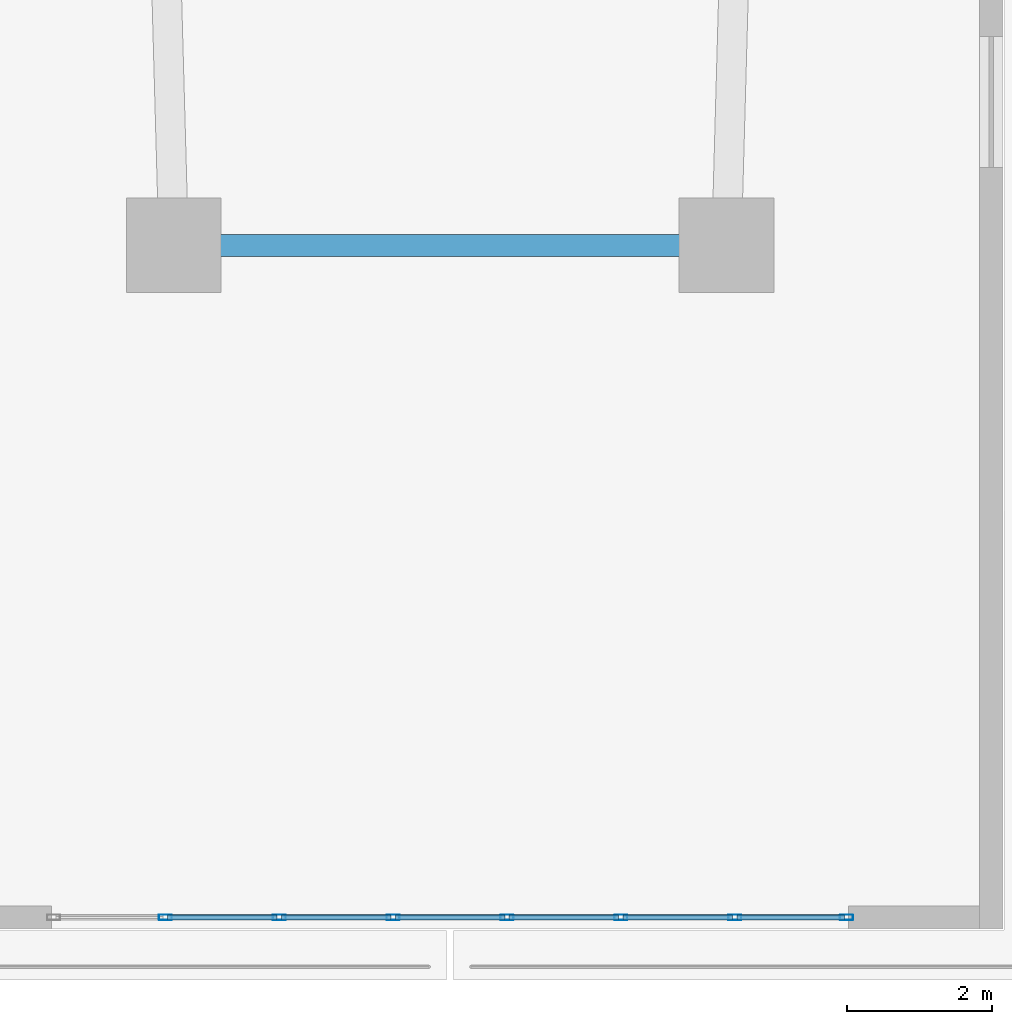
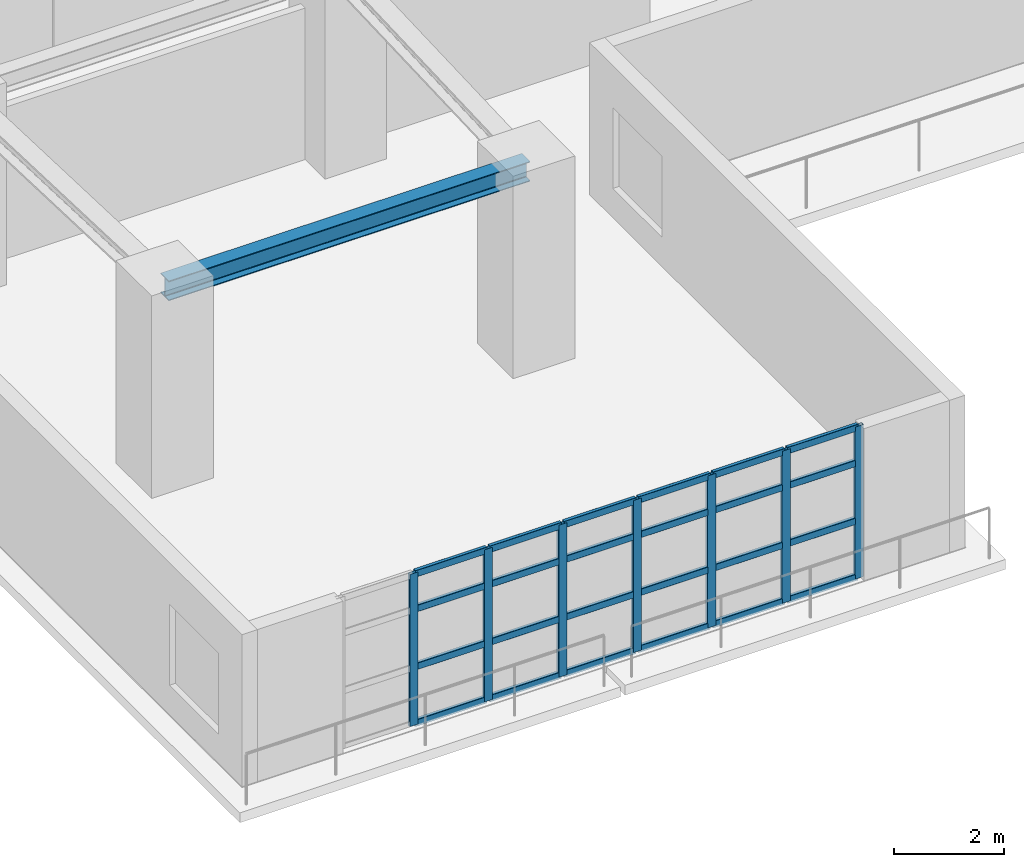
# One storey, part 5 of 24: 31 members, 1 beam, 1 element without a shape of its own.
"""IFC4 building model written with IfcOpenShell, lengths in metres."""

from ifc_helpers import new_model, si_unit, direction, frame, origin, origin_2d, place, context, subcontext, project, spatial, hollow_rectangle, i_section, extrude, material, layer, layer_set, material_profile, profile_set, type_object, element, aggregate, save


model = new_model("IFC4")

# Units and contexts
model_context = context("Model", 3, precision=1e-05, world=origin(), true_north=direction((0.0, 1.0)))
body_context = subcontext(model_context, "Body", "Model", "MODEL_VIEW")
ifc_project = project(units=[si_unit("LENGTHUNIT", "METRE"), si_unit("AREAUNIT", "SQUARE_METRE"), si_unit("VOLUMEUNIT", "CUBIC_METRE"), si_unit("PLANEANGLEUNIT", "RADIAN"), si_unit("MASSUNIT", "GRAM", prefix="KILO")], contexts=[model_context])

# Site, building, storey
site_placement = place(None, origin())
site = spatial("IfcSite", under=ifc_project, at=site_placement, CompositionType="ELEMENT")
building_placement = place(site_placement, origin())
building = spatial("IfcBuilding", under=site, at=building_placement, Name="Qingluan Cross Belvedere", CompositionType="ELEMENT")
storey_placement = place(building_placement, frame((0.0, 0.0, 19.199951171875)))
storey = spatial("IfcBuildingStorey", under=building, at=storey_placement, Name="L05", CompositionType="ELEMENT", Elevation=19.199951171875)

# Curtain wall, members
ifc_material_1 = material(Name="Thermally broken aluminium and Low-E glass", Category="aluminium")
ifc_layer = layer(ifc_material_1, 0.179931640625, Name="UnitisedCW_CascadeGarden")
ifc_layer_set = layer_set([ifc_layer], Name="Thermally broken aluminium and Low-E glass")
curtain_wall_type = type_object("IfcCurtainWallType", Name="UnitisedCW_CascadeGarden", PredefinedType="USERDEFINED", material=ifc_layer_set)
curtain_wall_placement = place(storey_placement, origin())
curtain_wall = element("IfcCurtainWall", 1, at=curtain_wall_placement, inside=storey, type_object=curtain_wall_type, Name="UnitisedCW_CascadeGarden run env:cw:L05:S", ObjectType="UNITISED CURTAIN WALL", PredefinedType="USERDEFINED")
ifc_material_2 = material(Name="Aluminium alloy 6063-T6", Category="aluminium")
ifc_material_profile_1 = material_profile(ifc_material_2, hollow_rectangle(XDim=0.074951171875, YDim=0.179931640625, WallThickness=0.00390625, InnerFilletRadius=0.00390625, OuterFilletRadius=0.008056640625, at=origin_2d()), Name="CWM180x75x4")
ifc_profile_set_1 = profile_set([ifc_material_profile_1], Name="Aluminium alloy 6063-T6")
member_type_1 = type_object("IfcMemberType", Name="CWMullion_180", PredefinedType="MULLION", material=ifc_profile_set_1)
member_1_placement = place(storey_placement, frame((5.449951171875, -36.239990234375, 0.0), z_axis=(0.0, 0.0, 1.0), x_axis=(0.0, -1.0, 0.0)))
member_1 = element("IfcMember", 2, at=member_1_placement, type_object=member_type_1, Name="CW-P3 mullion 1", PredefinedType="MULLION", context=body_context, shape_type="SweptSolid", body=[
    extrude(hollow_rectangle(XDim=0.074951171875, YDim=0.179931640625, WallThickness=0.00390625, InnerFilletRadius=0.00390625, OuterFilletRadius=0.008056640625, at=origin_2d()), origin(), (0.0, 0.0, 1.0), 3.380126953125),
])
member_2_placement = place(storey_placement, frame((3.914306640625, -36.239990234375, 0.0), z_axis=(0.0, 0.0, 1.0), x_axis=(0.0, -1.0, 0.0)))
member_2 = element("IfcMember", 3, at=member_2_placement, type_object=member_type_1, Name="CW-P3 mullion 2", PredefinedType="MULLION", context=body_context, shape_type="SweptSolid", body=[
    extrude(hollow_rectangle(XDim=0.074951171875, YDim=0.179931640625, WallThickness=0.00390625, InnerFilletRadius=0.00390625, OuterFilletRadius=0.008056640625, at=origin_2d()), origin(), (0.0, 0.0, 1.0), 3.380126953125),
])
member_3_placement = place(storey_placement, frame((2.3486328125, -36.239990234375, 0.0), z_axis=(0.0, 0.0, 1.0), x_axis=(0.0, -1.0, 0.0)))
member_3 = element("IfcMember", 4, at=member_3_placement, type_object=member_type_1, Name="CW-P3 mullion 3", PredefinedType="MULLION", context=body_context, shape_type="SweptSolid", body=[
    extrude(hollow_rectangle(XDim=0.074951171875, YDim=0.179931640625, WallThickness=0.00390625, InnerFilletRadius=0.00390625, OuterFilletRadius=0.008056640625, at=origin_2d()), origin(), (0.0, 0.0, 1.0), 3.380126953125),
])
member_4_placement = place(storey_placement, frame((0.782958984375, -36.239990234375, 0.0), z_axis=(0.0, 0.0, 1.0), x_axis=(0.0, -1.0, 0.0)))
member_4 = element("IfcMember", 5, at=member_4_placement, type_object=member_type_1, Name="CW-P3 mullion 4", PredefinedType="MULLION", context=body_context, shape_type="SweptSolid", body=[
    extrude(hollow_rectangle(XDim=0.074951171875, YDim=0.179931640625, WallThickness=0.00390625, InnerFilletRadius=0.00390625, OuterFilletRadius=0.008056640625, at=origin_2d()), origin(), (0.0, 0.0, 1.0), 3.380126953125),
])
member_5_placement = place(storey_placement, frame((-0.782958984375, -36.239990234375, 0.0), z_axis=(0.0, 0.0, 1.0), x_axis=(0.0, -1.0, 0.0)))
member_5 = element("IfcMember", 6, at=member_5_placement, type_object=member_type_1, Name="CW-P3 mullion 5", PredefinedType="MULLION", context=body_context, shape_type="SweptSolid", body=[
    extrude(hollow_rectangle(XDim=0.074951171875, YDim=0.179931640625, WallThickness=0.00390625, InnerFilletRadius=0.00390625, OuterFilletRadius=0.008056640625, at=origin_2d()), origin(), (0.0, 0.0, 1.0), 3.380126953125),
])
member_6_placement = place(storey_placement, frame((-2.3486328125, -36.239990234375, 0.0), z_axis=(0.0, 0.0, 1.0), x_axis=(0.0, -1.0, 0.0)))
member_6 = element("IfcMember", 7, at=member_6_placement, type_object=member_type_1, Name="CW-P3 mullion 6", PredefinedType="MULLION", context=body_context, shape_type="SweptSolid", body=[
    extrude(hollow_rectangle(XDim=0.074951171875, YDim=0.179931640625, WallThickness=0.00390625, InnerFilletRadius=0.00390625, OuterFilletRadius=0.008056640625, at=origin_2d()), origin(), (0.0, 0.0, 1.0), 3.380126953125),
])
member_7_placement = place(storey_placement, frame((-3.914306640625, -36.239990234375, 0.0), z_axis=(0.0, 0.0, 1.0), x_axis=(0.0, -1.0, 0.0)))
member_7 = element("IfcMember", 8, at=member_7_placement, type_object=member_type_1, Name="CW-P3 mullion 7", PredefinedType="MULLION", context=body_context, shape_type="SweptSolid", body=[
    extrude(hollow_rectangle(XDim=0.074951171875, YDim=0.179931640625, WallThickness=0.00390625, InnerFilletRadius=0.00390625, OuterFilletRadius=0.008056640625, at=origin_2d()), origin(), (0.0, 0.0, 1.0), 3.380126953125),
])
ifc_material_3 = material(Name="Aluminium alloy 6063-T6", Category="aluminium")
ifc_material_profile_2 = material_profile(ifc_material_3, hollow_rectangle(XDim=0.074951171875, YDim=0.14990234375, WallThickness=0.00390625, InnerFilletRadius=0.00390625, OuterFilletRadius=0.008056640625, at=origin_2d()), Name="CWT150x75x4")
ifc_profile_set_2 = profile_set([ifc_material_profile_2], Name="Aluminium alloy 6063-T6")
member_type_2 = type_object("IfcMemberType", Name="CWTransom_150", PredefinedType="USERDEFINED", material=ifc_profile_set_2)
member_8_placement = place(storey_placement, frame((5.419921875, -36.239990234375, 0.030029296875), z_axis=(-1.0, 0.0, 0.0), x_axis=(0.0, -1.0, 0.0)))
member_8 = element("IfcMember", 9, at=member_8_placement, type_object=member_type_2, Name="CW-P3 transom 1.1", ObjectType="TRANSOM", PredefinedType="USERDEFINED", context=body_context, shape_type="SweptSolid", body=[
    extrude(hollow_rectangle(XDim=0.074951171875, YDim=0.14990234375, WallThickness=0.00390625, InnerFilletRadius=0.00390625, OuterFilletRadius=0.008056640625, at=origin_2d()), origin(), (0.0, 0.0, 1.0), 1.4755859375),
])
member_9_placement = place(storey_placement, frame((5.419921875, -36.239990234375, 1.283935546875), z_axis=(-1.0, 0.0, 0.0), x_axis=(0.0, -1.0, 0.0)))
member_9 = element("IfcMember", 10, at=member_9_placement, type_object=member_type_2, Name="CW-P3 transom 1.2", ObjectType="TRANSOM", PredefinedType="USERDEFINED", context=body_context, shape_type="SweptSolid", body=[
    extrude(hollow_rectangle(XDim=0.074951171875, YDim=0.14990234375, WallThickness=0.00390625, InnerFilletRadius=0.00390625, OuterFilletRadius=0.008056640625, at=origin_2d()), origin(), (0.0, 0.0, 1.0), 1.4755859375),
])
member_10_placement = place(storey_placement, frame((5.419921875, -36.239990234375, 2.569091796875), z_axis=(-1.0, 0.0, 0.0), x_axis=(0.0, -1.0, 0.0)))
member_10 = element("IfcMember", 11, at=member_10_placement, type_object=member_type_2, Name="CW-P3 transom 1.3", ObjectType="TRANSOM", PredefinedType="USERDEFINED", context=body_context, shape_type="SweptSolid", body=[
    extrude(hollow_rectangle(XDim=0.074951171875, YDim=0.14990234375, WallThickness=0.00390625, InnerFilletRadius=0.00390625, OuterFilletRadius=0.008056640625, at=origin_2d()), origin(), (0.0, 0.0, 1.0), 1.4755859375),
])
member_11_placement = place(storey_placement, frame((5.419921875, -36.239990234375, 3.35009765625), z_axis=(-1.0, 0.0, 0.0), x_axis=(0.0, -1.0, 0.0)))
member_11 = element("IfcMember", 12, at=member_11_placement, type_object=member_type_2, Name="CW-P3 transom 1.4", ObjectType="TRANSOM", PredefinedType="USERDEFINED", context=body_context, shape_type="SweptSolid", body=[
    extrude(hollow_rectangle(XDim=0.074951171875, YDim=0.14990234375, WallThickness=0.00390625, InnerFilletRadius=0.00390625, OuterFilletRadius=0.008056640625, at=origin_2d()), origin(), (0.0, 0.0, 1.0), 1.4755859375),
])
member_12_placement = place(storey_placement, frame((3.88427734375, -36.239990234375, 0.030029296875), z_axis=(-1.0, 0.0, 0.0), x_axis=(0.0, -1.0, 0.0)))
member_12 = element("IfcMember", 13, at=member_12_placement, type_object=member_type_2, Name="CW-P3 transom 2.1", ObjectType="TRANSOM", PredefinedType="USERDEFINED", context=body_context, shape_type="SweptSolid", body=[
    extrude(hollow_rectangle(XDim=0.074951171875, YDim=0.14990234375, WallThickness=0.00390625, InnerFilletRadius=0.00390625, OuterFilletRadius=0.008056640625, at=origin_2d()), origin(), (0.0, 0.0, 1.0), 1.505615234375),
])
member_13_placement = place(storey_placement, frame((3.88427734375, -36.239990234375, 1.283935546875), z_axis=(-1.0, 0.0, 0.0), x_axis=(0.0, -1.0, 0.0)))
member_13 = element("IfcMember", 14, at=member_13_placement, type_object=member_type_2, Name="CW-P3 transom 2.2", ObjectType="TRANSOM", PredefinedType="USERDEFINED", context=body_context, shape_type="SweptSolid", body=[
    extrude(hollow_rectangle(XDim=0.074951171875, YDim=0.14990234375, WallThickness=0.00390625, InnerFilletRadius=0.00390625, OuterFilletRadius=0.008056640625, at=origin_2d()), origin(), (0.0, 0.0, 1.0), 1.505615234375),
])
member_14_placement = place(storey_placement, frame((3.88427734375, -36.239990234375, 2.569091796875), z_axis=(-1.0, 0.0, 0.0), x_axis=(0.0, -1.0, 0.0)))
member_14 = element("IfcMember", 15, at=member_14_placement, type_object=member_type_2, Name="CW-P3 transom 2.3", ObjectType="TRANSOM", PredefinedType="USERDEFINED", context=body_context, shape_type="SweptSolid", body=[
    extrude(hollow_rectangle(XDim=0.074951171875, YDim=0.14990234375, WallThickness=0.00390625, InnerFilletRadius=0.00390625, OuterFilletRadius=0.008056640625, at=origin_2d()), origin(), (0.0, 0.0, 1.0), 1.505615234375),
])
member_15_placement = place(storey_placement, frame((3.88427734375, -36.239990234375, 3.35009765625), z_axis=(-1.0, 0.0, 0.0), x_axis=(0.0, -1.0, 0.0)))
member_15 = element("IfcMember", 16, at=member_15_placement, type_object=member_type_2, Name="CW-P3 transom 2.4", ObjectType="TRANSOM", PredefinedType="USERDEFINED", context=body_context, shape_type="SweptSolid", body=[
    extrude(hollow_rectangle(XDim=0.074951171875, YDim=0.14990234375, WallThickness=0.00390625, InnerFilletRadius=0.00390625, OuterFilletRadius=0.008056640625, at=origin_2d()), origin(), (0.0, 0.0, 1.0), 1.505615234375),
])
member_16_placement = place(storey_placement, frame((2.318603515625, -36.239990234375, 0.030029296875), z_axis=(-1.0, 0.0, 0.0), x_axis=(0.0, -1.0, 0.0)))
member_16 = element("IfcMember", 17, at=member_16_placement, type_object=member_type_2, Name="CW-P3 transom 3.1", ObjectType="TRANSOM", PredefinedType="USERDEFINED", context=body_context, shape_type="SweptSolid", body=[
    extrude(hollow_rectangle(XDim=0.074951171875, YDim=0.14990234375, WallThickness=0.00390625, InnerFilletRadius=0.00390625, OuterFilletRadius=0.008056640625, at=origin_2d()), origin(), (0.0, 0.0, 1.0), 1.505859375),
])
member_17_placement = place(storey_placement, frame((2.318603515625, -36.239990234375, 1.283935546875), z_axis=(-1.0, 0.0, 0.0), x_axis=(0.0, -1.0, 0.0)))
member_17 = element("IfcMember", 18, at=member_17_placement, type_object=member_type_2, Name="CW-P3 transom 3.2", ObjectType="TRANSOM", PredefinedType="USERDEFINED", context=body_context, shape_type="SweptSolid", body=[
    extrude(hollow_rectangle(XDim=0.074951171875, YDim=0.14990234375, WallThickness=0.00390625, InnerFilletRadius=0.00390625, OuterFilletRadius=0.008056640625, at=origin_2d()), origin(), (0.0, 0.0, 1.0), 1.505859375),
])
member_18_placement = place(storey_placement, frame((2.318603515625, -36.239990234375, 2.569091796875), z_axis=(-1.0, 0.0, 0.0), x_axis=(0.0, -1.0, 0.0)))
member_18 = element("IfcMember", 19, at=member_18_placement, type_object=member_type_2, Name="CW-P3 transom 3.3", ObjectType="TRANSOM", PredefinedType="USERDEFINED", context=body_context, shape_type="SweptSolid", body=[
    extrude(hollow_rectangle(XDim=0.074951171875, YDim=0.14990234375, WallThickness=0.00390625, InnerFilletRadius=0.00390625, OuterFilletRadius=0.008056640625, at=origin_2d()), origin(), (0.0, 0.0, 1.0), 1.505859375),
])
member_19_placement = place(storey_placement, frame((2.318603515625, -36.239990234375, 3.35009765625), z_axis=(-1.0, 0.0, 0.0), x_axis=(0.0, -1.0, 0.0)))
member_19 = element("IfcMember", 20, at=member_19_placement, type_object=member_type_2, Name="CW-P3 transom 3.4", ObjectType="TRANSOM", PredefinedType="USERDEFINED", context=body_context, shape_type="SweptSolid", body=[
    extrude(hollow_rectangle(XDim=0.074951171875, YDim=0.14990234375, WallThickness=0.00390625, InnerFilletRadius=0.00390625, OuterFilletRadius=0.008056640625, at=origin_2d()), origin(), (0.0, 0.0, 1.0), 1.505859375),
])
member_20_placement = place(storey_placement, frame((0.7529296875, -36.239990234375, 0.030029296875), z_axis=(-1.0, 0.0, 0.0), x_axis=(0.0, -1.0, 0.0)))
member_20 = element("IfcMember", 21, at=member_20_placement, type_object=member_type_2, Name="CW-P3 transom 4.1", ObjectType="TRANSOM", PredefinedType="USERDEFINED", context=body_context, shape_type="SweptSolid", body=[
    extrude(hollow_rectangle(XDim=0.074951171875, YDim=0.14990234375, WallThickness=0.00390625, InnerFilletRadius=0.00390625, OuterFilletRadius=0.008056640625, at=origin_2d()), origin(), (0.0, 0.0, 1.0), 1.505859375),
])
member_21_placement = place(storey_placement, frame((0.7529296875, -36.239990234375, 1.283935546875), z_axis=(-1.0, 0.0, 0.0), x_axis=(0.0, -1.0, 0.0)))
member_21 = element("IfcMember", 22, at=member_21_placement, type_object=member_type_2, Name="CW-P3 transom 4.2", ObjectType="TRANSOM", PredefinedType="USERDEFINED", context=body_context, shape_type="SweptSolid", body=[
    extrude(hollow_rectangle(XDim=0.074951171875, YDim=0.14990234375, WallThickness=0.00390625, InnerFilletRadius=0.00390625, OuterFilletRadius=0.008056640625, at=origin_2d()), origin(), (0.0, 0.0, 1.0), 1.505859375),
])
member_22_placement = place(storey_placement, frame((0.7529296875, -36.239990234375, 2.569091796875), z_axis=(-1.0, 0.0, 0.0), x_axis=(0.0, -1.0, 0.0)))
member_22 = element("IfcMember", 23, at=member_22_placement, type_object=member_type_2, Name="CW-P3 transom 4.3", ObjectType="TRANSOM", PredefinedType="USERDEFINED", context=body_context, shape_type="SweptSolid", body=[
    extrude(hollow_rectangle(XDim=0.074951171875, YDim=0.14990234375, WallThickness=0.00390625, InnerFilletRadius=0.00390625, OuterFilletRadius=0.008056640625, at=origin_2d()), origin(), (0.0, 0.0, 1.0), 1.505859375),
])
member_23_placement = place(storey_placement, frame((0.7529296875, -36.239990234375, 3.35009765625), z_axis=(-1.0, 0.0, 0.0), x_axis=(0.0, -1.0, 0.0)))
member_23 = element("IfcMember", 24, at=member_23_placement, type_object=member_type_2, Name="CW-P3 transom 4.4", ObjectType="TRANSOM", PredefinedType="USERDEFINED", context=body_context, shape_type="SweptSolid", body=[
    extrude(hollow_rectangle(XDim=0.074951171875, YDim=0.14990234375, WallThickness=0.00390625, InnerFilletRadius=0.00390625, OuterFilletRadius=0.008056640625, at=origin_2d()), origin(), (0.0, 0.0, 1.0), 1.505859375),
])
member_24_placement = place(storey_placement, frame((-0.812744140625, -36.239990234375, 0.030029296875), z_axis=(-1.0, 0.0, 0.0), x_axis=(0.0, -1.0, 0.0)))
member_24 = element("IfcMember", 25, at=member_24_placement, type_object=member_type_2, Name="CW-P3 transom 5.1", ObjectType="TRANSOM", PredefinedType="USERDEFINED", context=body_context, shape_type="SweptSolid", body=[
    extrude(hollow_rectangle(XDim=0.074951171875, YDim=0.14990234375, WallThickness=0.00390625, InnerFilletRadius=0.00390625, OuterFilletRadius=0.008056640625, at=origin_2d()), origin(), (0.0, 0.0, 1.0), 1.505859375),
])
member_25_placement = place(storey_placement, frame((-0.812744140625, -36.239990234375, 1.283935546875), z_axis=(-1.0, 0.0, 0.0), x_axis=(0.0, -1.0, 0.0)))
member_25 = element("IfcMember", 26, at=member_25_placement, type_object=member_type_2, Name="CW-P3 transom 5.2", ObjectType="TRANSOM", PredefinedType="USERDEFINED", context=body_context, shape_type="SweptSolid", body=[
    extrude(hollow_rectangle(XDim=0.074951171875, YDim=0.14990234375, WallThickness=0.00390625, InnerFilletRadius=0.00390625, OuterFilletRadius=0.008056640625, at=origin_2d()), origin(), (0.0, 0.0, 1.0), 1.505859375),
])
member_26_placement = place(storey_placement, frame((-0.812744140625, -36.239990234375, 2.569091796875), z_axis=(-1.0, 0.0, 0.0), x_axis=(0.0, -1.0, 0.0)))
member_26 = element("IfcMember", 27, at=member_26_placement, type_object=member_type_2, Name="CW-P3 transom 5.3", ObjectType="TRANSOM", PredefinedType="USERDEFINED", context=body_context, shape_type="SweptSolid", body=[
    extrude(hollow_rectangle(XDim=0.074951171875, YDim=0.14990234375, WallThickness=0.00390625, InnerFilletRadius=0.00390625, OuterFilletRadius=0.008056640625, at=origin_2d()), origin(), (0.0, 0.0, 1.0), 1.505859375),
])
member_27_placement = place(storey_placement, frame((-0.812744140625, -36.239990234375, 3.35009765625), z_axis=(-1.0, 0.0, 0.0), x_axis=(0.0, -1.0, 0.0)))
member_27 = element("IfcMember", 28, at=member_27_placement, type_object=member_type_2, Name="CW-P3 transom 5.4", ObjectType="TRANSOM", PredefinedType="USERDEFINED", context=body_context, shape_type="SweptSolid", body=[
    extrude(hollow_rectangle(XDim=0.074951171875, YDim=0.14990234375, WallThickness=0.00390625, InnerFilletRadius=0.00390625, OuterFilletRadius=0.008056640625, at=origin_2d()), origin(), (0.0, 0.0, 1.0), 1.505859375),
])
member_28_placement = place(storey_placement, frame((-2.378662109375, -36.239990234375, 0.030029296875), z_axis=(-1.0, 0.0, 0.0), x_axis=(0.0, -1.0, 0.0)))
member_28 = element("IfcMember", 29, at=member_28_placement, type_object=member_type_2, Name="CW-P3 transom 6.1", ObjectType="TRANSOM", PredefinedType="USERDEFINED", context=body_context, shape_type="SweptSolid", body=[
    extrude(hollow_rectangle(XDim=0.074951171875, YDim=0.14990234375, WallThickness=0.00390625, InnerFilletRadius=0.00390625, OuterFilletRadius=0.008056640625, at=origin_2d()), origin(), (0.0, 0.0, 1.0), 1.505615234375),
])
member_29_placement = place(storey_placement, frame((-2.378662109375, -36.239990234375, 1.283935546875), z_axis=(-1.0, 0.0, 0.0), x_axis=(0.0, -1.0, 0.0)))
member_29 = element("IfcMember", 30, at=member_29_placement, type_object=member_type_2, Name="CW-P3 transom 6.2", ObjectType="TRANSOM", PredefinedType="USERDEFINED", context=body_context, shape_type="SweptSolid", body=[
    extrude(hollow_rectangle(XDim=0.074951171875, YDim=0.14990234375, WallThickness=0.00390625, InnerFilletRadius=0.00390625, OuterFilletRadius=0.008056640625, at=origin_2d()), origin(), (0.0, 0.0, 1.0), 1.505615234375),
])
member_30_placement = place(storey_placement, frame((-2.378662109375, -36.239990234375, 2.569091796875), z_axis=(-1.0, 0.0, 0.0), x_axis=(0.0, -1.0, 0.0)))
member_30 = element("IfcMember", 31, at=member_30_placement, type_object=member_type_2, Name="CW-P3 transom 6.3", ObjectType="TRANSOM", PredefinedType="USERDEFINED", context=body_context, shape_type="SweptSolid", body=[
    extrude(hollow_rectangle(XDim=0.074951171875, YDim=0.14990234375, WallThickness=0.00390625, InnerFilletRadius=0.00390625, OuterFilletRadius=0.008056640625, at=origin_2d()), origin(), (0.0, 0.0, 1.0), 1.505615234375),
])
member_31_placement = place(storey_placement, frame((-2.378662109375, -36.239990234375, 3.35009765625), z_axis=(-1.0, 0.0, 0.0), x_axis=(0.0, -1.0, 0.0)))
member_31 = element("IfcMember", 32, at=member_31_placement, type_object=member_type_2, Name="CW-P3 transom 6.4", ObjectType="TRANSOM", PredefinedType="USERDEFINED", context=body_context, shape_type="SweptSolid", body=[
    extrude(hollow_rectangle(XDim=0.074951171875, YDim=0.14990234375, WallThickness=0.00390625, InnerFilletRadius=0.00390625, OuterFilletRadius=0.008056640625, at=origin_2d()), origin(), (0.0, 0.0, 1.0), 1.505615234375),
])
aggregate(curtain_wall, [member_1, member_2, member_3, member_4, member_5, member_6, member_7, member_8, member_9, member_10, member_11, member_12, member_13, member_14, member_15, member_16, member_17, member_18, member_19, member_20, member_21, member_22, member_23, member_24, member_25, member_26, member_27, member_28, member_29, member_30, member_31])

# Beam
ifc_material_4 = material(Name="Steel Q420GJB", Category="steel")
ifc_material_profile_3 = material_profile(ifc_material_4, i_section(OverallWidth=0.300048828125, OverallDepth=0.43994140625, WebThickness=0.010986328125, FlangeThickness=0.01806640625, FilletRadius=0.02001953125, at=origin_2d()), Name="HM440x300x11x18")
ifc_profile_set_3 = profile_set([ifc_material_profile_3], Name="Steel Q420GJB")
beam_type = type_object("IfcBeamType", Name="Steel_Beam_HM440x300x11x18", PredefinedType="BEAM", material=ifc_profile_set_3)
beam_placement = place(storey_placement, frame((-3.800048828125, -27.0, 4.080078125), z_axis=(1.0, 0.0, 0.0), x_axis=(0.0, 1.0, 0.0)))
element("IfcBeam", 33, at=beam_placement, inside=storey, type_object=beam_type, Name="Arm S tip transverse beam L05", PredefinedType="BEAM", context=body_context, shape_type="SweptSolid", body=[
    extrude(i_section(OverallWidth=0.300048828125, OverallDepth=0.43994140625, WebThickness=0.010986328125, FlangeThickness=0.01806640625, FilletRadius=0.02001953125, at=origin_2d()), origin(), (0.0, 0.0, 1.0), 7.60009765625),
])

save(model, "model.ifc")
